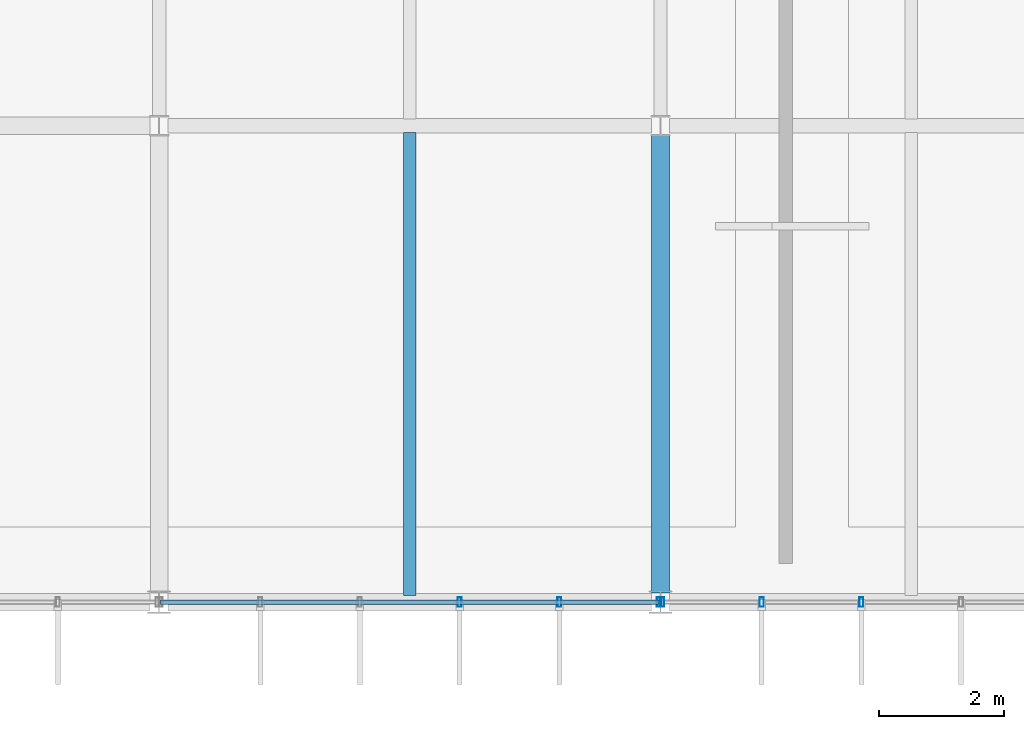
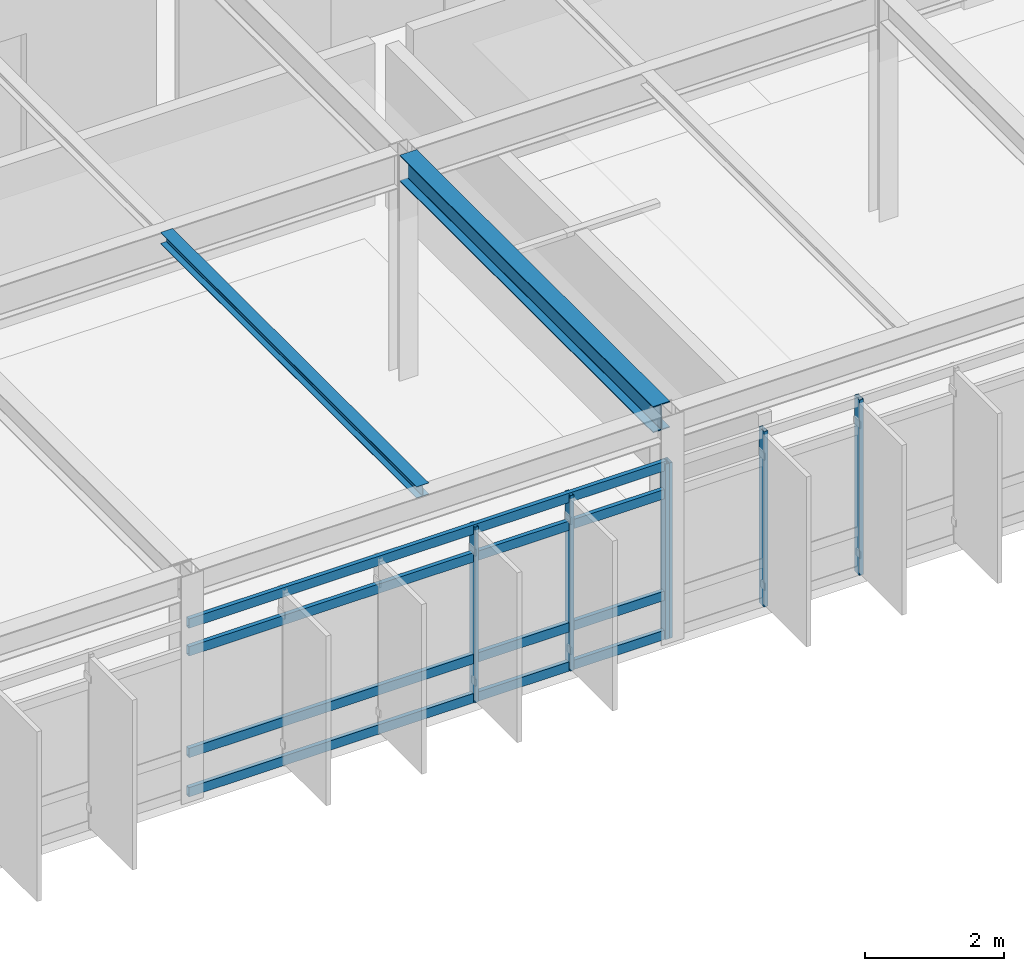
# One storey, part 11 of 45: 10 members, 2 beams, 2 elements without a shape of their own.
"""IFC4 building model written with IfcOpenShell, lengths in metres."""

from ifc_helpers import new_model, si_unit, direction, frame, origin, origin_2d, place, context, subcontext, project, spatial, hollow_rectangle, i_section, extrude, material, material_profile, profile_set, type_object, element, aggregate, save


model = new_model("IFC4")

# Units and contexts
model_context = context("Model", 3, precision=1e-05, world=origin(), true_north=direction((0.0, 1.0)))
body_context = subcontext(model_context, "Body", "Model", "MODEL_VIEW")
ifc_project = project(units=[si_unit("LENGTHUNIT", "METRE"), si_unit("AREAUNIT", "SQUARE_METRE"), si_unit("VOLUMEUNIT", "CUBIC_METRE"), si_unit("PLANEANGLEUNIT", "RADIAN"), si_unit("MASSUNIT", "GRAM", prefix="KILO")], contexts=[model_context])

# Site, building, storey
site_placement = place(None, origin())
site = spatial("IfcSite", under=ifc_project, at=site_placement, CompositionType="ELEMENT")
building_placement = place(site_placement, origin())
building = spatial("IfcBuilding", under=site, at=building_placement, Name="Zulena Civic Courthouse", CompositionType="ELEMENT")
storey_placement = place(building_placement, frame((0.0, 0.0, 29.39990234375)))
storey = spatial("IfcBuildingStorey", under=building, at=storey_placement, Name="L06", CompositionType="ELEMENT", Elevation=29.39990234375)

# Curtain wall, members
ifc_material_1 = material(Name="Double-silver low-E laminated solar-control glass", Category="glass")
curtain_wall_type = type_object("IfcCurtainWallType", Name="CW_7952x3090", PredefinedType="USERDEFINED", material=ifc_material_1)
curtain_wall_1_placement = place(storey_placement, origin())
curtain_wall_1 = element("IfcCurtainWall", 1, at=curtain_wall_1_placement, inside=storey, type_object=curtain_wall_type, Name="cw:V2:L06:3:4", ObjectType="UNITISED CURTAIN WALL", PredefinedType="USERDEFINED")
ifc_material_2 = material(Name="Bronze anodised thermally broken aluminium AA6063-T6", Category="aluminium")
ifc_material_profile_1 = material_profile(ifc_material_2, hollow_rectangle(XDim=0.06494140625, YDim=0.14990234375, WallThickness=0.00390625, at=origin_2d()), Name="CWM150X65X4")
ifc_profile_set_1 = profile_set([ifc_material_profile_1], Name="Bronze anodised thermally broken aluminium AA6063-T6")
member_type_1 = type_object("IfcMemberType", Name="CWMullion_150x65", PredefinedType="MULLION", material=ifc_profile_set_1)
member_1_placement = place(storey_placement, frame((31.204833984375, 0.0, 0.0), z_axis=(0.0, 0.0, 1.0), x_axis=(1.0, 0.0, 0.0)))
member_1 = element("IfcMember", 2, at=member_1_placement, type_object=member_type_1, Name="cw:V2:L06:3:4:mull:3", PredefinedType="MULLION", context=body_context, shape_type="SweptSolid", body=[
    extrude(hollow_rectangle(XDim=0.06494140625, YDim=0.14990234375, WallThickness=0.00390625, at=origin_2d()), origin(), (0.0, 0.0, 1.0), 3.090087890625),
])
member_2_placement = place(storey_placement, frame((29.614501953125, 0.0, 0.0), z_axis=(0.0, 0.0, 1.0), x_axis=(1.0, 0.0, 0.0)))
member_2 = element("IfcMember", 3, at=member_2_placement, type_object=member_type_1, Name="cw:V2:L06:3:4:mull:4", PredefinedType="MULLION", context=body_context, shape_type="SweptSolid", body=[
    extrude(hollow_rectangle(XDim=0.06494140625, YDim=0.14990234375, WallThickness=0.00390625, at=origin_2d()), origin(), (0.0, 0.0, 1.0), 3.090087890625),
])
member_3_placement = place(storey_placement, frame((28.02392578125, 0.0, 0.0), z_axis=(0.0, 0.0, 1.0), x_axis=(1.0, 0.0, 0.0)))
member_3 = element("IfcMember", 4, at=member_3_placement, type_object=member_type_1, Name="cw:V2:L06:3:4:mull:5", PredefinedType="MULLION", context=body_context, shape_type="SweptSolid", body=[
    extrude(hollow_rectangle(XDim=0.06494140625, YDim=0.14990234375, WallThickness=0.00390625, at=origin_2d()), origin(), (0.0, 0.0, 1.0), 3.090087890625),
])
aggregate(curtain_wall_1, [member_1, member_2, member_3])

curtain_wall_2_placement = place(storey_placement, origin())
curtain_wall_2 = element("IfcCurtainWall", 5, at=curtain_wall_2_placement, inside=storey, type_object=curtain_wall_type, Name="cw:V2:L06:3:5", ObjectType="UNITISED CURTAIN WALL", PredefinedType="USERDEFINED")
member_4_placement = place(storey_placement, frame((27.97607421875, 0.0, 0.0), z_axis=(0.0, 0.0, 1.0), x_axis=(1.0, 0.0, 0.0)))
member_4 = element("IfcMember", 6, at=member_4_placement, type_object=member_type_1, Name="cw:V2:L06:3:5:mull:0", PredefinedType="MULLION", context=body_context, shape_type="SweptSolid", body=[
    extrude(hollow_rectangle(XDim=0.06494140625, YDim=0.14990234375, WallThickness=0.00390625, at=origin_2d()), origin(), (0.0, 0.0, 1.0), 3.090087890625),
])
member_5_placement = place(storey_placement, frame((26.385498046875, 0.0, 0.0), z_axis=(0.0, 0.0, 1.0), x_axis=(1.0, 0.0, 0.0)))
member_5 = element("IfcMember", 7, at=member_5_placement, type_object=member_type_1, Name="cw:V2:L06:3:5:mull:1", PredefinedType="MULLION", context=body_context, shape_type="SweptSolid", body=[
    extrude(hollow_rectangle(XDim=0.06494140625, YDim=0.14990234375, WallThickness=0.00390625, at=origin_2d()), origin(), (0.0, 0.0, 1.0), 3.090087890625),
])
member_6_placement = place(storey_placement, frame((24.795166015625, 0.0, 0.0), z_axis=(0.0, 0.0, 1.0), x_axis=(1.0, 0.0, 0.0)))
member_6 = element("IfcMember", 8, at=member_6_placement, type_object=member_type_1, Name="cw:V2:L06:3:5:mull:2", PredefinedType="MULLION", context=body_context, shape_type="SweptSolid", body=[
    extrude(hollow_rectangle(XDim=0.06494140625, YDim=0.14990234375, WallThickness=0.00390625, at=origin_2d()), origin(), (0.0, 0.0, 1.0), 3.090087890625),
])
ifc_material_profile_2 = material_profile(ifc_material_2, hollow_rectangle(XDim=0.070068359375, YDim=0.1650390625, WallThickness=0.00390625, at=origin_2d()), Name="CWT165X70X4")
ifc_profile_set_2 = profile_set([ifc_material_profile_2], Name="Bronze anodised thermally broken aluminium AA6063-T6")
member_type_2 = type_object("IfcMemberType", Name="CWTransom_165x70", PredefinedType="USERDEFINED", material=ifc_profile_set_2)
member_7_placement = place(storey_placement, frame((27.97607421875, 0.0, 0.06005859375), z_axis=(-1.0, 0.0, 0.0), x_axis=(0.0, -1.0, 0.0)))
member_7 = element("IfcMember", 9, at=member_7_placement, type_object=member_type_2, Name="cw:V2:L06:3:5:tran:0", ObjectType="TRANSOM", PredefinedType="USERDEFINED", context=body_context, shape_type="SweptSolid", body=[
    extrude(hollow_rectangle(XDim=0.070068359375, YDim=0.1650390625, WallThickness=0.00390625, at=origin_2d()), origin(), (0.0, 0.0, 1.0), 7.9521484375),
])
member_8_placement = place(storey_placement, frame((27.97607421875, 0.0, 0.75), z_axis=(-1.0, 0.0, 0.0), x_axis=(0.0, -1.0, 0.0)))
member_8 = element("IfcMember", 10, at=member_8_placement, type_object=member_type_2, Name="cw:V2:L06:3:5:tran:1", ObjectType="TRANSOM", PredefinedType="USERDEFINED", context=body_context, shape_type="SweptSolid", body=[
    extrude(hollow_rectangle(XDim=0.070068359375, YDim=0.1650390625, WallThickness=0.00390625, at=origin_2d()), origin(), (0.0, 0.0, 1.0), 7.9521484375),
])
member_9_placement = place(storey_placement, frame((27.97607421875, 0.0, 2.5400390625), z_axis=(-1.0, 0.0, 0.0), x_axis=(0.0, -1.0, 0.0)))
member_9 = element("IfcMember", 11, at=member_9_placement, type_object=member_type_2, Name="cw:V2:L06:3:5:tran:2", ObjectType="TRANSOM", PredefinedType="USERDEFINED", context=body_context, shape_type="SweptSolid", body=[
    extrude(hollow_rectangle(XDim=0.070068359375, YDim=0.1650390625, WallThickness=0.00390625, at=origin_2d()), origin(), (0.0, 0.0, 1.0), 7.9521484375),
])
member_10_placement = place(storey_placement, frame((27.97607421875, 0.0, 3.030029296875), z_axis=(-1.0, 0.0, 0.0), x_axis=(0.0, -1.0, 0.0)))
member_10 = element("IfcMember", 12, at=member_10_placement, type_object=member_type_2, Name="cw:V2:L06:3:5:tran:3", ObjectType="TRANSOM", PredefinedType="USERDEFINED", context=body_context, shape_type="SweptSolid", body=[
    extrude(hollow_rectangle(XDim=0.070068359375, YDim=0.1650390625, WallThickness=0.00390625, at=origin_2d()), origin(), (0.0, 0.0, 1.0), 7.9521484375),
])
aggregate(curtain_wall_2, [member_4, member_5, member_6, member_7, member_8, member_9, member_10])

# Beams
ifc_material_3 = material(Name="Steel ASTM A992 Grade 50", Category="steel")
ifc_material_profile_3 = material_profile(ifc_material_3, i_section(OverallWidth=0.202880859375, OverallDepth=0.202880859375, WebThickness=0.007080078125, FlangeThickness=0.010986328125, FilletRadius=0.007568359375, at=origin_2d()), Name="W8X31")
ifc_profile_set_3 = profile_set([ifc_material_profile_3], Name="Steel ASTM A992 Grade 50")
beam_type_1 = type_object("IfcBeamType", Name="Joist_W8X31", PredefinedType="JOIST", material=ifc_profile_set_3)
beam_1_placement = place(storey_placement, frame((24.0, 0.10498046875, 3.898681640625), z_axis=(0.0, 1.0, 0.0), x_axis=(-1.0, 0.0, 0.0)))
element("IfcBeam", 13, at=beam_1_placement, inside=storey, type_object=beam_type_1, Name="joist:V2:L06:24.00:0.0_7.6", PredefinedType="JOIST", context=body_context, shape_type="SweptSolid", body=[
    extrude(i_section(OverallWidth=0.202880859375, OverallDepth=0.202880859375, WebThickness=0.007080078125, FlangeThickness=0.010986328125, FilletRadius=0.007568359375, at=origin_2d()), origin(), (0.0, 0.0, 1.0), 7.39013671875),
])
ifc_material_profile_4 = material_profile(ifc_material_3, i_section(OverallWidth=0.280029296875, OverallDepth=0.462890625, WebThickness=0.0107421875, FlangeThickness=0.017333984375, FilletRadius=0.01025390625, at=origin_2d()), Name="W18X76")
ifc_profile_set_4 = profile_set([ifc_material_profile_4], Name="Steel ASTM A992 Grade 50")
beam_type_2 = type_object("IfcBeamType", Name="Spandrel_W18X76", PredefinedType="SPANDREL", material=ifc_profile_set_4)
beam_2_placement = place(storey_placement, frame((28.0, 0.14501953125, 3.7685546875), z_axis=(0.0, 1.0, 0.0), x_axis=(-1.0, 0.0, 0.0)))
element("IfcBeam", 14, at=beam_2_placement, inside=storey, type_object=beam_type_2, Name="beam:Y:V2:L06:28.0:0.0_7.6", PredefinedType="SPANDREL", context=body_context, shape_type="SweptSolid", body=[
    extrude(i_section(OverallWidth=0.280029296875, OverallDepth=0.462890625, WebThickness=0.0107421875, FlangeThickness=0.017333984375, FilletRadius=0.01025390625, at=origin_2d()), origin(), (0.0, 0.0, 1.0), 7.31005859375),
])

save(model, "model.ifc")
